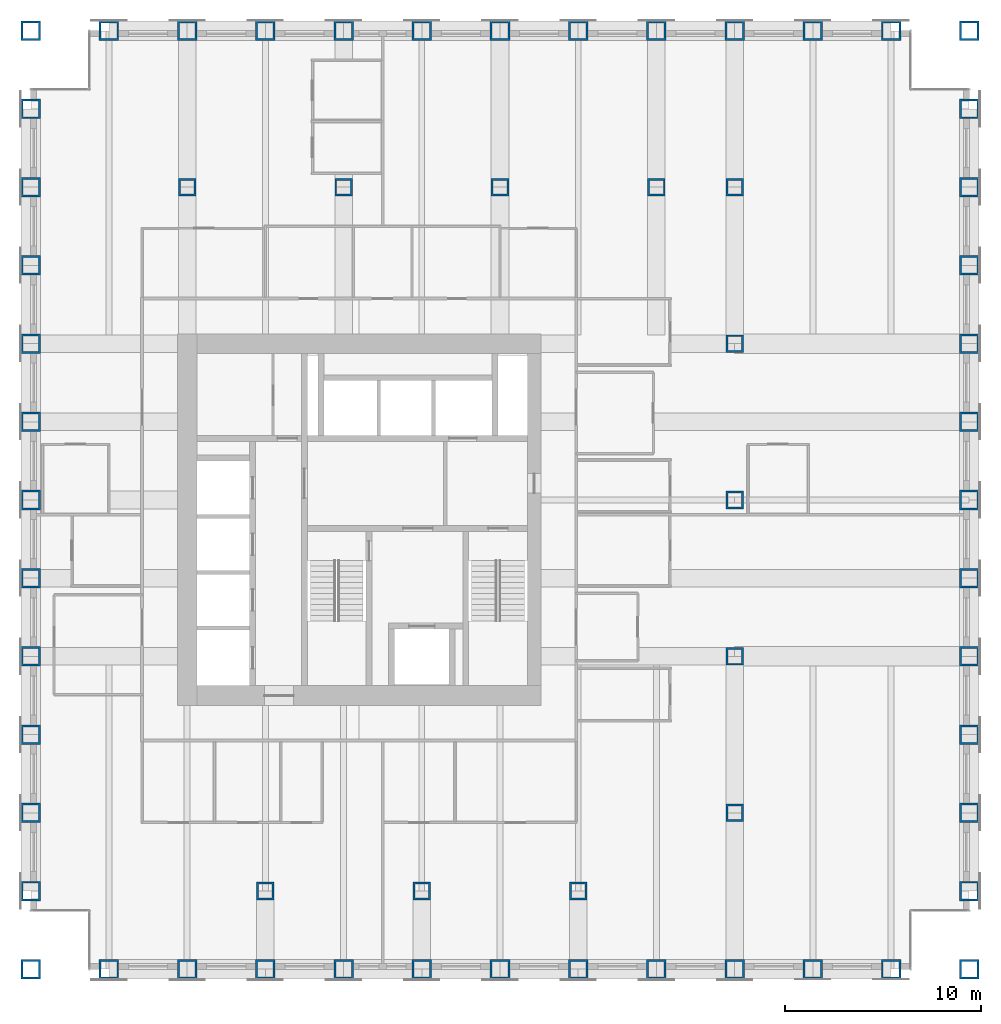
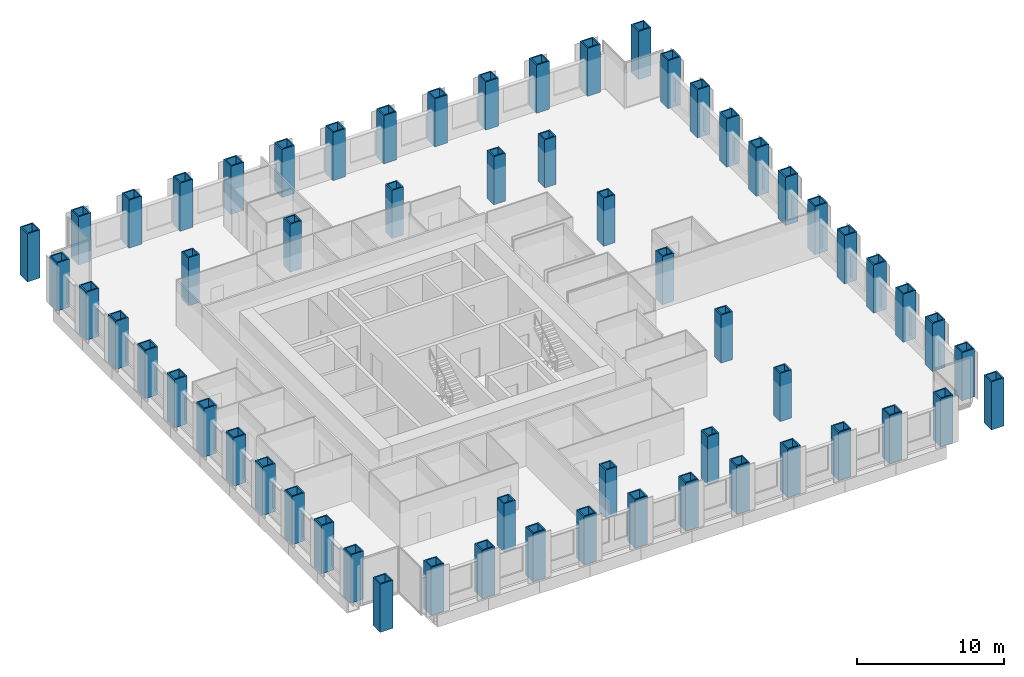
# One storey, part 1 of 16: 60 columns.
"""IFC4 building model written with IfcOpenShell, lengths in metres."""

from ifc_helpers import new_model, si_unit, direction, frame, origin, origin_2d, place, context, subcontext, project, spatial, hollow_rectangle, extrude, material, material_profile, profile_set, type_object, element, save


model = new_model("IFC4")

# Units and contexts
model_context = context("Model", 3, precision=1e-05, world=origin(), true_north=direction((0.0, 1.0)))
body_context = subcontext(model_context, "Body", "Model", "MODEL_VIEW")
ifc_project = project(units=[si_unit("LENGTHUNIT", "METRE"), si_unit("AREAUNIT", "SQUARE_METRE"), si_unit("VOLUMEUNIT", "CUBIC_METRE"), si_unit("PLANEANGLEUNIT", "RADIAN"), si_unit("MASSUNIT", "GRAM", prefix="KILO")], contexts=[model_context])

# Site, building, storey
site_placement = place(None, origin())
site = spatial("IfcSite", under=ifc_project, at=site_placement, CompositionType="ELEMENT")
building_placement = place(site_placement, origin())
building = spatial("IfcBuilding", under=site, at=building_placement, Name="Rimbunsela Tower", CompositionType="ELEMENT")
storey_placement = place(building_placement, frame((0.0, 0.0, 129.39990234375)))
storey = spatial("IfcBuildingStorey", under=building, at=storey_placement, Name="L31", CompositionType="ELEMENT", Elevation=129.39990234375)

# Columns
ifc_material_1 = material(Name="Steel BJ 55 (fy 410 MPa)", Category="steel")
ifc_material_profile_1 = material_profile(ifc_material_1, hollow_rectangle(XDim=1.0, YDim=1.0, WallThickness=0.10009765625, at=origin_2d()), Name="BOX 1000x1000x100")
ifc_profile_set_1 = profile_set([ifc_material_profile_1], Name="Steel BJ 55 (fy 410 MPa)")
column_type_1 = type_object("IfcColumnType", Name="Column BOX 1000x1000x100", PredefinedType="COLUMN", material=ifc_profile_set_1)
for number, where, z_axis, x_axis, name in (
    (1, (10.0, 4.0, 0.0), (0.0, 0.0, 1.0), (1.0, 0.0, 0.0), "Column C1 5/C L31"),
    (2, (10.0, 8.0, 0.0), (0.0, 0.0, 1.0), (1.0, 0.0, 0.0), "Column C1 5/D L31"),
    (3, (10.0, 12.0, 0.0), (0.0, 0.0, 1.0), (1.0, 0.0, 0.0), "Column C1 5/E L31"),
    (4, (10.0, 16.0, 0.0), (0.0, 0.0, 1.0), (1.0, 0.0, 0.0), "Column C1 5/F L31"),
    (5, (10.0, 20.0, 0.0), (0.0, 0.0, 1.0), (1.0, 0.0, 0.0), "Column C1 5/G L31"),
    (6, (10.0, 24.0, 0.0), (0.0, 0.0, 1.0), (1.0, 0.0, 0.0), "Column C1 5/H L31"),
    (7, (10.0, 28.0, 0.0), (0.0, 0.0, 1.0), (1.0, 0.0, 0.0), "Column C1 5/J L31"),
    (8, (10.0, 32.0, 0.0), (0.0, 0.0, 1.0), (1.0, 0.0, 0.0), "Column C1 5/K L31"),
    (9, (10.0, 36.0, 0.0), (0.0, 0.0, 1.0), (1.0, 0.0, 0.0), "Column C1 5/L L31"),
    (10, (10.0, 40.0, 0.0), (0.0, 0.0, 1.0), (1.0, 0.0, 0.0), "Column C1 5/M L31"),
    (11, (10.0, 44.0, 0.0), (0.0, 0.0, 1.0), (1.0, 0.0, 0.0), "Column C1 5/N L31"),
    (12, (10.0, 48.0, 0.0), (0.0, 0.0, 1.0), (1.0, 0.0, 0.0), "Column C1 5/P L31"),
    (13, (10.0, 52.0, 0.0), (0.0, 0.0, 1.0), (1.0, 0.0, 0.0), "Column C1 5/Q L31"),
    (14, (14.0, 4.0, 0.0), (0.0, 0.0, 1.0), (1.0, 0.0, 0.0), "Column C1 6/C L31"),
    (15, (14.0, 52.0, 0.0), (0.0, 0.0, 1.0), (1.0, 0.0, 0.0), "Column C1 6/Q L31"),
    (16, (18.0, 4.0, 0.0), (0.0, 0.0, 1.0), (1.0, 0.0, 0.0), "Column C1 7/C L31"),
    (17, (18.0, 52.0, 0.0), (0.0, 0.0, 1.0), (1.0, 0.0, 0.0), "Column C1 7/Q L31"),
    (18, (22.0, 4.0, 0.0), (0.0, 0.0, 1.0), (1.0, 0.0, 0.0), "Column C1 8/C L31"),
    (19, (22.0, 52.0, 0.0), (0.0, 0.0, 1.0), (1.0, 0.0, 0.0), "Column C1 8/Q L31"),
    (20, (26.0, 4.0, 0.0), (0.0, 0.0, 1.0), (1.0, 0.0, 0.0), "Column C1 9/C L31"),
    (21, (26.0, 52.0, 0.0), (0.0, 0.0, 1.0), (1.0, 0.0, 0.0), "Column C1 9/Q L31"),
    (22, (30.0, 4.0, 0.0), (0.0, 0.0, 1.0), (1.0, 0.0, 0.0), "Column C1 10/C L31"),
    (23, (30.0, 52.0, 0.0), (0.0, 0.0, 1.0), (1.0, 0.0, 0.0), "Column C1 10/Q L31"),
    (24, (34.0, 4.0, 0.0), (0.0, 0.0, 1.0), (1.0, 0.0, 0.0), "Column C1 11/C L31"),
    (25, (34.0, 52.0, 0.0), (0.0, 0.0, 1.0), (1.0, 0.0, 0.0), "Column C1 11/Q L31"),
    (26, (38.0, 4.0, 0.0), (0.0, 0.0, 1.0), (1.0, 0.0, 0.0), "Column C1 12/C L31"),
    (27, (38.0, 52.0, 0.0), (0.0, 0.0, 1.0), (1.0, 0.0, 0.0), "Column C1 12/Q L31"),
    (28, (42.0, 4.0, 0.0), (0.0, 0.0, 1.0), (1.0, 0.0, 0.0), "Column C1 13/C L31"),
    (29, (42.0, 52.0, 0.0), (0.0, 0.0, 1.0), (1.0, 0.0, 0.0), "Column C1 13/Q L31"),
    (30, (46.0, 4.0, 0.0), (0.0, 0.0, 1.0), (1.0, 0.0, 0.0), "Column C1 14/C L31"),
    (31, (46.0, 52.0, 0.0), (0.0, 0.0, 1.0), (1.0, 0.0, 0.0), "Column C1 14/Q L31"),
    (32, (50.0, 4.0, 0.0), (0.0, 0.0, 1.0), (1.0, 0.0, 0.0), "Column C1 15/C L31"),
    (33, (50.0, 52.0, 0.0), (0.0, 0.0, 1.0), (1.0, 0.0, 0.0), "Column C1 15/Q L31"),
    (34, (54.0, 4.0, 0.0), (0.0, 0.0, 1.0), (1.0, 0.0, 0.0), "Column C1 16/C L31"),
    (35, (54.0, 52.0, 0.0), (0.0, 0.0, 1.0), (1.0, 0.0, 0.0), "Column C1 16/Q L31"),
    (36, (58.0, 4.0, 0.0), (0.0, 0.0, 1.0), (1.0, 0.0, 0.0), "Column C1 17/C L31"),
    (37, (58.0, 8.0, 0.0), (0.0, 0.0, 1.0), (1.0, 0.0, 0.0), "Column C1 17/D L31"),
    (38, (58.0, 12.0, 0.0), (0.0, 0.0, 1.0), (1.0, 0.0, 0.0), "Column C1 17/E L31"),
    (39, (58.0, 16.0, 0.0), (0.0, 0.0, 1.0), (1.0, 0.0, 0.0), "Column C1 17/F L31"),
    (40, (58.0, 20.0, 0.0), (0.0, 0.0, 1.0), (1.0, 0.0, 0.0), "Column C1 17/G L31"),
    (41, (58.0, 24.0, 0.0), (0.0, 0.0, 1.0), (1.0, 0.0, 0.0), "Column C1 17/H L31"),
    (42, (58.0, 28.0, 0.0), (0.0, 0.0, 1.0), (1.0, 0.0, 0.0), "Column C1 17/J L31"),
    (43, (58.0, 32.0, 0.0), (0.0, 0.0, 1.0), (1.0, 0.0, 0.0), "Column C1 17/K L31"),
    (44, (58.0, 36.0, 0.0), (0.0, 0.0, 1.0), (1.0, 0.0, 0.0), "Column C1 17/L L31"),
    (45, (58.0, 40.0, 0.0), (0.0, 0.0, 1.0), (1.0, 0.0, 0.0), "Column C1 17/M L31"),
    (46, (58.0, 44.0, 0.0), (0.0, 0.0, 1.0), (1.0, 0.0, 0.0), "Column C1 17/N L31"),
    (47, (58.0, 48.0, 0.0), (0.0, 0.0, 1.0), (1.0, 0.0, 0.0), "Column C1 17/P L31"),
    (48, (58.0, 52.0, 0.0), (0.0, 0.0, 1.0), (1.0, 0.0, 0.0), "Column C1 17/Q L31"),
):
    element("IfcColumn", number, at=place(storey_placement, frame(where, z_axis=z_axis, x_axis=x_axis)), inside=storey, type_object=column_type_1, Name=name, PredefinedType="COLUMN", context=body_context, shape_type="SweptSolid", body=[
        extrude(hollow_rectangle(XDim=1.0, YDim=1.0, WallThickness=0.10009765625, at=origin_2d()), origin(), (0.0, 0.0, 1.0), 4.0),
    ])
ifc_material_2 = material(Name="Steel BJ 55 (fy 410 MPa)", Category="steel")
ifc_material_profile_2 = material_profile(ifc_material_2, hollow_rectangle(XDim=0.89990234375, YDim=0.89990234375, WallThickness=0.10009765625, at=origin_2d()), Name="BOX 900x900x100")
ifc_profile_set_2 = profile_set([ifc_material_profile_2], Name="Steel BJ 55 (fy 410 MPa)")
column_type_2 = type_object("IfcColumnType", Name="Column BOX 900x900x100", PredefinedType="COLUMN", material=ifc_profile_set_2)
for number, where, z_axis, x_axis, name in (
    (49, (18.0, 44.0, 0.0), (0.0, 0.0, 1.0), (1.0, 0.0, 0.0), "Column C5 7/N L31"),
    (50, (22.0, 8.0, 0.0), (0.0, 0.0, 1.0), (1.0, 0.0, 0.0), "Column C5 8/D L31"),
    (51, (26.0, 44.0, 0.0), (0.0, 0.0, 1.0), (1.0, 0.0, 0.0), "Column C5 9/N L31"),
    (52, (30.0, 8.0, 0.0), (0.0, 0.0, 1.0), (1.0, 0.0, 0.0), "Column C5 10/D L31"),
    (53, (34.0, 44.0, 0.0), (0.0, 0.0, 1.0), (1.0, 0.0, 0.0), "Column C5 11/N L31"),
    (54, (38.0, 8.0, 0.0), (0.0, 0.0, 1.0), (1.0, 0.0, 0.0), "Column C5 12/D L31"),
    (55, (42.0, 44.0, 0.0), (0.0, 0.0, 1.0), (1.0, 0.0, 0.0), "Column C5 13/N L31"),
    (56, (46.0, 12.0, 0.0), (0.0, 0.0, 1.0), (1.0, 0.0, 0.0), "Column C5 14/E L31"),
    (57, (46.0, 20.0, 0.0), (0.0, 0.0, 1.0), (1.0, 0.0, 0.0), "Column C5 14/G L31"),
    (58, (46.0, 28.0, 0.0), (0.0, 0.0, 1.0), (1.0, 0.0, 0.0), "Column C5 14/J L31"),
    (59, (46.0, 36.0, 0.0), (0.0, 0.0, 1.0), (1.0, 0.0, 0.0), "Column C5 14/L L31"),
    (60, (46.0, 44.0, 0.0), (0.0, 0.0, 1.0), (1.0, 0.0, 0.0), "Column C5 14/N L31"),
):
    element("IfcColumn", number, at=place(storey_placement, frame(where, z_axis=z_axis, x_axis=x_axis)), inside=storey, type_object=column_type_2, Name=name, PredefinedType="COLUMN", context=body_context, shape_type="SweptSolid", body=[
        extrude(hollow_rectangle(XDim=0.89990234375, YDim=0.89990234375, WallThickness=0.10009765625, at=origin_2d()), origin(), (0.0, 0.0, 1.0), 4.0),
    ])

save(model, "model.ifc")
